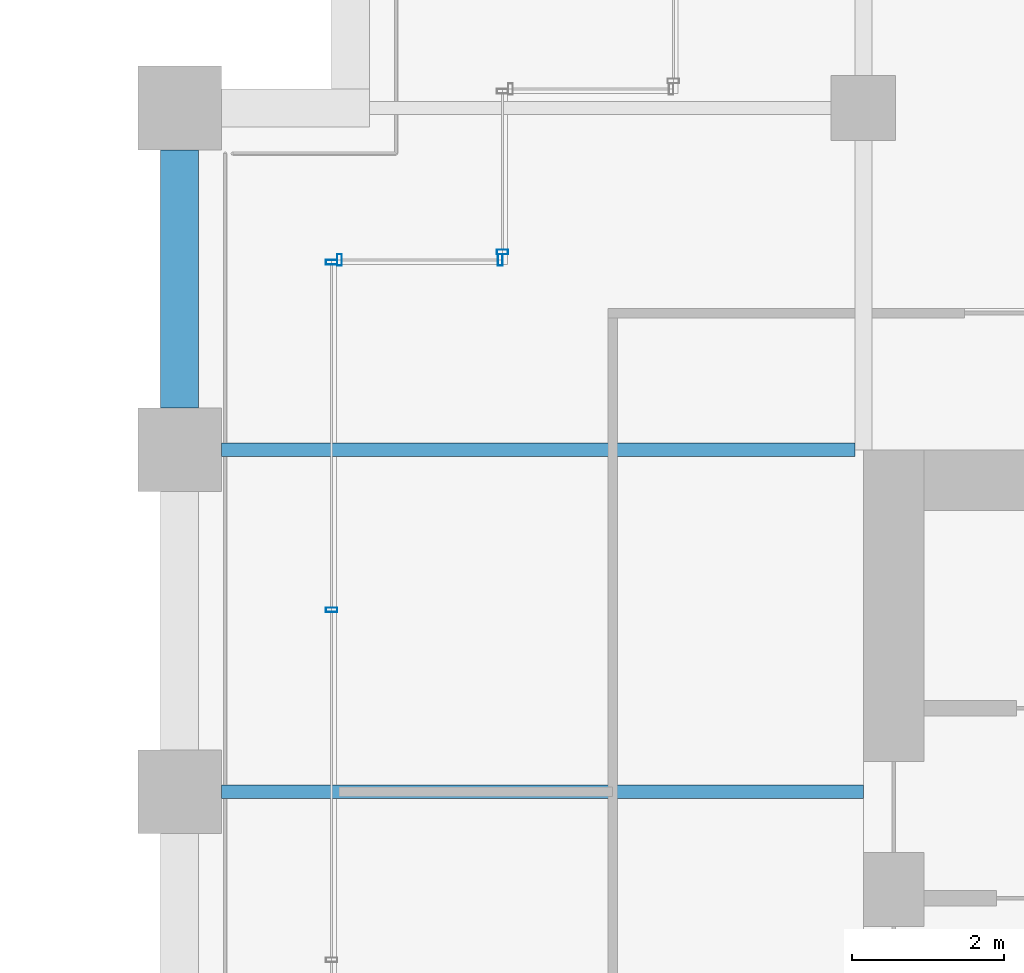
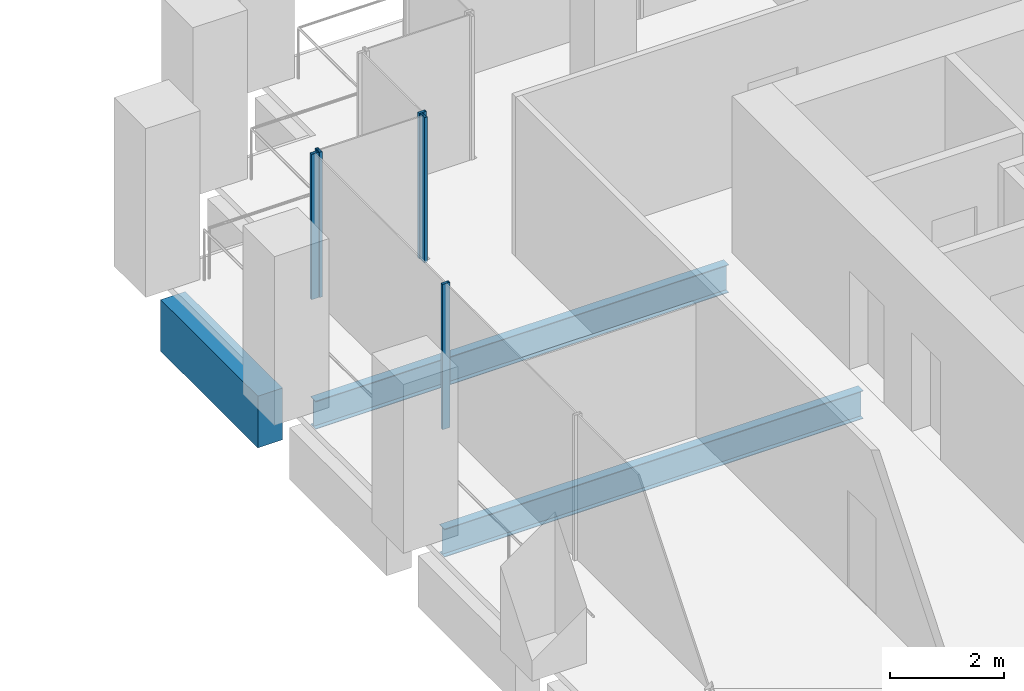
# One storey, part 40 of 54: 5 members, 3 beams, 3 elements without a shape of their own.
"""IFC4 building model written with IfcOpenShell, lengths in metres."""

from ifc_helpers import new_model, si_unit, direction, frame, origin, origin_2d, place, context, subcontext, project, spatial, rectangle, hollow_rectangle, i_section, extrude, material, material_profile, profile_set, type_object, element, aggregate, save


model = new_model("IFC4")

# Units and contexts
model_context = context("Model", 3, precision=1e-05, world=origin(), true_north=direction((0.0, 1.0)))
body_context = subcontext(model_context, "Body", "Model", "MODEL_VIEW")
ifc_project = project(units=[si_unit("LENGTHUNIT", "METRE"), si_unit("AREAUNIT", "SQUARE_METRE"), si_unit("VOLUMEUNIT", "CUBIC_METRE"), si_unit("PLANEANGLEUNIT", "RADIAN"), si_unit("MASSUNIT", "GRAM", prefix="KILO")], contexts=[model_context])

# Site, building, storey
site_placement = place(None, origin())
site = spatial("IfcSite", under=ifc_project, at=site_placement, CompositionType="ELEMENT")
building_placement = place(site_placement, origin())
building = spatial("IfcBuilding", under=site, at=building_placement, Name="Altepetl Exchange Towers", CompositionType="ELEMENT")
storey_placement = place(building_placement, frame((0.0, 0.0, 65.39990234375)))
storey = spatial("IfcBuildingStorey", under=building, at=storey_placement, Name="L15", CompositionType="ELEMENT", Elevation=65.39990234375)

# Beams
ifc_material_1 = material(Name="Steel S355", Category="steel")
ifc_material_profile_1 = material_profile(ifc_material_1, i_section(OverallWidth=0.177978515625, OverallDepth=0.59912109375, WebThickness=0.010009765625, FlangeThickness=0.0126953125, at=origin_2d()), Name="W24X55")
ifc_profile_set_1 = profile_set([ifc_material_profile_1], Name="Steel S355")
beam_type_1 = type_object("IfcBeamType", Name="Floor beam W24X55", PredefinedType="BEAM", material=ifc_profile_set_1)
beam_1_placement = place(storey_placement, frame((95.050048828125, 45.0, -0.449462890625), z_axis=(1.0, 0.0, 0.0), x_axis=(0.0, 1.0, 0.0)))
element("IfcBeam", 1, at=beam_1_placement, inside=storey, type_object=beam_type_1, Name="bm:B:L15:013", PredefinedType="BEAM", context=body_context, shape_type="SweptSolid", body=[
    extrude(i_section(OverallWidth=0.177978515625, OverallDepth=0.59912109375, WebThickness=0.010009765625, FlangeThickness=0.0126953125, at=origin_2d()), origin(), (0.0, 0.0, 1.0), 8.449951171875),
])
beam_2_placement = place(storey_placement, frame((95.050048828125, 49.5, -0.449462890625), z_axis=(1.0, 0.0, 0.0), x_axis=(0.0, 1.0, 0.0)))
element("IfcBeam", 2, at=beam_2_placement, inside=storey, type_object=beam_type_1, Name="bm:B:L15:014", PredefinedType="BEAM", context=body_context, shape_type="SweptSolid", body=[
    extrude(i_section(OverallWidth=0.177978515625, OverallDepth=0.59912109375, WebThickness=0.010009765625, FlangeThickness=0.0126953125, at=origin_2d()), origin(), (0.0, 0.0, 1.0), 8.3359375),
])

# Curtain wall, members
ifc_material_2 = material(Name="Aluminium 6063-T6 glazing", Category="aluminium")
curtain_wall_type = type_object("IfcCurtainWallType", Name="Loggia glazing system", PredefinedType="NOTDEFINED", material=ifc_material_2)
curtain_wall_1_placement = place(storey_placement, origin())
curtain_wall_1 = element("IfcCurtainWall", 3, at=curtain_wall_1_placement, inside=storey, type_object=curtain_wall_type, Name="CW1 run", PredefinedType="NOTDEFINED")
ifc_material_3 = material(Name="Aluminium 6063-T6", Category="aluminium")
ifc_material_profile_2 = material_profile(ifc_material_3, hollow_rectangle(XDim=0.06005859375, YDim=0.14990234375, WallThickness=0.0029296875, at=origin_2d()), Name="Mullion 60x150 aluminium")
ifc_profile_set_2 = profile_set([ifc_material_profile_2], Name="Aluminium 6063-T6")
member_type = type_object("IfcMemberType", Name="Mullion 60x150 aluminium", PredefinedType="MULLION", material=ifc_profile_set_2)
member_1_placement = place(storey_placement, frame((98.719970703125, 52.0, 0.0), z_axis=(0.0, 0.0, 1.0), x_axis=(-1.0, 0.0, 0.0)))
member_1 = element("IfcMember", 4, at=member_1_placement, type_object=member_type, Name="MU1 mullion", PredefinedType="MULLION", context=body_context, shape_type="SweptSolid", body=[
    extrude(hollow_rectangle(XDim=0.06005859375, YDim=0.14990234375, WallThickness=0.0029296875, at=origin_2d()), origin(), (0.0, 0.0, 1.0), 3.10009765625),
])
member_2_placement = place(storey_placement, frame((96.60498046875, 52.0, 0.0), z_axis=(0.0, 0.0, 1.0), x_axis=(-1.0, 0.0, 0.0)))
member_2 = element("IfcMember", 5, at=member_2_placement, type_object=member_type, Name="MU1 mullion", PredefinedType="MULLION", context=body_context, shape_type="SweptSolid", body=[
    extrude(hollow_rectangle(XDim=0.06005859375, YDim=0.14990234375, WallThickness=0.0029296875, at=origin_2d()), origin(), (0.0, 0.0, 1.0), 3.10009765625),
])
aggregate(curtain_wall_1, [member_1, member_2])

curtain_wall_2_placement = place(storey_placement, origin())
curtain_wall_2 = element("IfcCurtainWall", 6, at=curtain_wall_2_placement, inside=storey, type_object=curtain_wall_type, Name="CW1 run", PredefinedType="NOTDEFINED")
member_3_placement = place(storey_placement, frame((96.5, 51.969970703125, 0.0), z_axis=(0.0, 0.0, 1.0), x_axis=(0.0, -1.0, 0.0)))
member_3 = element("IfcMember", 7, at=member_3_placement, type_object=member_type, Name="MU1 mullion", PredefinedType="MULLION", context=body_context, shape_type="SweptSolid", body=[
    extrude(hollow_rectangle(XDim=0.06005859375, YDim=0.14990234375, WallThickness=0.0029296875, at=origin_2d()), origin(), (0.0, 0.0, 1.0), 3.10009765625),
])
member_4_placement = place(storey_placement, frame((96.5, 47.393798828125, 0.0), z_axis=(0.0, 0.0, 1.0), x_axis=(0.0, -1.0, 0.0)))
member_4 = element("IfcMember", 8, at=member_4_placement, type_object=member_type, Name="MU1 mullion", PredefinedType="MULLION", context=body_context, shape_type="SweptSolid", body=[
    extrude(hollow_rectangle(XDim=0.06005859375, YDim=0.14990234375, WallThickness=0.0029296875, at=origin_2d()), origin(), (0.0, 0.0, 1.0), 3.10009765625),
])
aggregate(curtain_wall_2, [member_3, member_4])

# Curtain wall, member
curtain_wall_3_placement = place(storey_placement, origin())
curtain_wall_3 = element("IfcCurtainWall", 9, at=curtain_wall_3_placement, inside=storey, type_object=curtain_wall_type, Name="CW1 run", PredefinedType="NOTDEFINED")
member_5_placement = place(storey_placement, frame((98.75, 52.10498046875, 0.0), z_axis=(0.0, 0.0, 1.0), x_axis=(0.0, -1.0, 0.0)))
member_5 = element("IfcMember", 10, at=member_5_placement, type_object=member_type, Name="MU1 mullion", PredefinedType="MULLION", context=body_context, shape_type="SweptSolid", body=[
    extrude(hollow_rectangle(XDim=0.06005859375, YDim=0.14990234375, WallThickness=0.0029296875, at=origin_2d()), origin(), (0.0, 0.0, 1.0), 3.10009765625),
])
aggregate(curtain_wall_3, [member_5])

# Beam
ifc_material_4 = material(Name="Concrete C50/60 precast with cantera rosa facing", Category="concrete")
ifc_material_profile_3 = material_profile(ifc_material_4, rectangle(XDim=0.5, YDim=1.10009765625, at=origin_2d()), Name="500 x 1100")
ifc_profile_set_3 = profile_set([ifc_material_profile_3], Name="Concrete C50/60 precast with cantera rosa facing")
beam_type_2 = type_object("IfcBeamType", Name="Spandrel beam 500x1100 cantera rosa", PredefinedType="SPANDREL", material=ifc_profile_set_3)
beam_3_placement = place(storey_placement, frame((94.5, 53.449951171875, -0.699951171875), z_axis=(0.0, -1.0, 0.0), x_axis=(1.0, 0.0, 0.0)))
element("IfcBeam", 11, at=beam_3_placement, inside=storey, type_object=beam_type_2, Name="sp:B:L15:027", PredefinedType="SPANDREL", context=body_context, shape_type="SweptSolid", body=[
    extrude(rectangle(XDim=0.5, YDim=1.10009765625, at=origin_2d()), origin(), (0.0, 0.0, 1.0), 3.39990234375),
])

save(model, "model.ifc")
